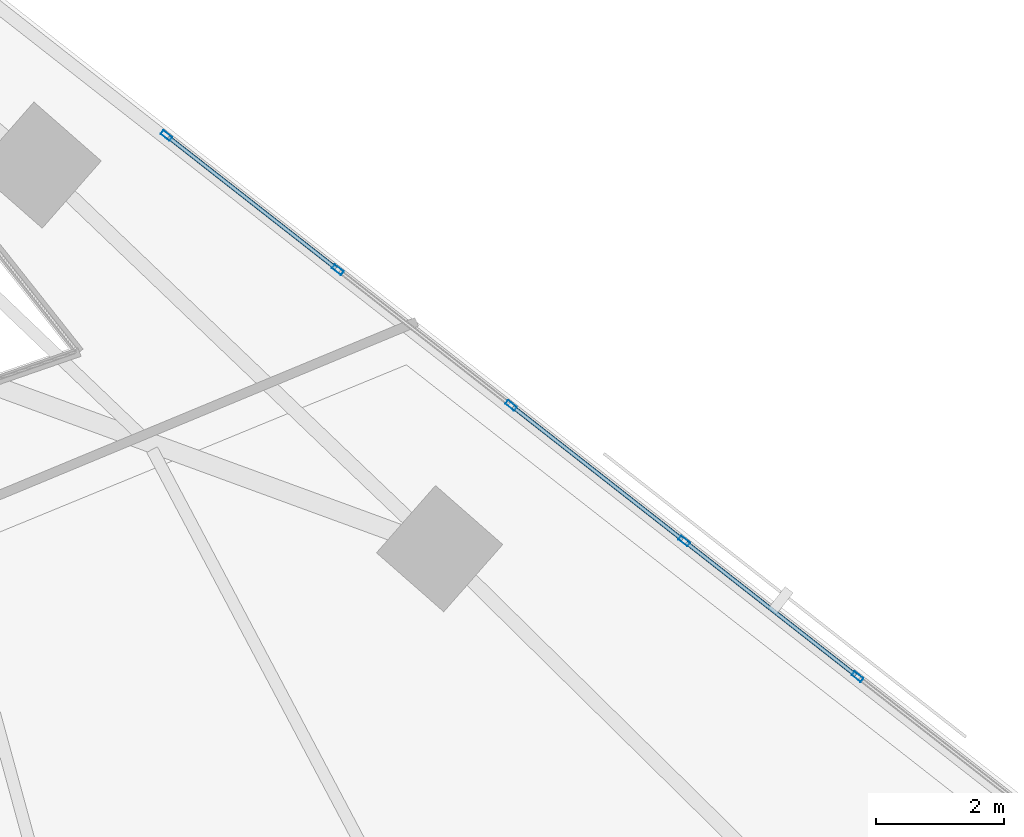
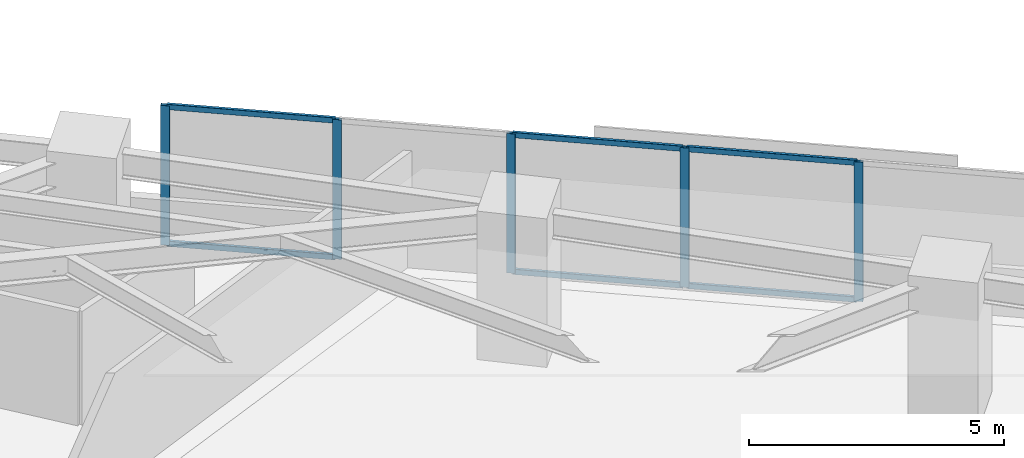
# One storey, part 7 of 16: 11 members, 1 element without a shape of its own.
"""IFC4 building model written with IfcOpenShell, lengths in metres."""

from ifc_helpers import new_model, si_unit, direction, frame, origin, origin_2d, place, context, subcontext, project, spatial, hollow_rectangle, extrude, material, material_profile, profile_set, type_object, element, aggregate, save


model = new_model("IFC4")

# Units and contexts
model_context = context("Model", 3, precision=1e-05, world=origin(), true_north=direction((0.0, 1.0)))
body_context = subcontext(model_context, "Body", "Model", "MODEL_VIEW")
ifc_project = project(units=[si_unit("LENGTHUNIT", "METRE"), si_unit("AREAUNIT", "SQUARE_METRE"), si_unit("VOLUMEUNIT", "CUBIC_METRE"), si_unit("PLANEANGLEUNIT", "RADIAN"), si_unit("MASSUNIT", "GRAM", prefix="KILO")], contexts=[model_context])

# Site, building, storey
site_placement = place(None, origin())
site = spatial("IfcSite", under=ifc_project, at=site_placement, CompositionType="ELEMENT")
building_placement = place(site_placement, origin())
building = spatial("IfcBuilding", under=site, at=building_placement, Name="Narakoshi Arena Tower", CompositionType="ELEMENT")
storey_placement = place(building_placement, frame((0.0, 0.0, 77.699951171875)))
storey = spatial("IfcBuildingStorey", under=building, at=storey_placement, Name="L20", CompositionType="ELEMENT", Elevation=77.699951171875)

# Curtain wall, members
ifc_material = material(Name="Anodised bronze aluminium 6063-T6", Category="aluminium")
curtain_wall_type = type_object("IfcCurtainWallType", Name="CW-HYP-LOW", PredefinedType="NOTDEFINED", material=ifc_material)
curtain_wall_placement = place(storey_placement, origin())
curtain_wall = element("IfcCurtainWall", 1, at=curtain_wall_placement, inside=storey, type_object=curtain_wall_type, Name="L20 Folded Hypotenuse Curtain Wall 1-1", PredefinedType="NOTDEFINED")
ifc_material_profile_1 = material_profile(ifc_material, hollow_rectangle(XDim=0.074951171875, YDim=0.179931640625, WallThickness=0.00390625, OuterFilletRadius=0.0048828125, at=origin_2d()), Name="MUL180x75x4")
ifc_profile_set_1 = profile_set([ifc_material_profile_1], Name="Anodised bronze aluminium 6063-T6")
member_type_1 = type_object("IfcMemberType", Name="MEM-MUL-180", PredefinedType="MULLION", material=ifc_profile_set_1)
member_1_placement = place(storey_placement, frame((107.304443359375, 48.927490234375, 0.0), z_axis=(0.0, 0.0, 1.0), x_axis=(-0.616458234641, -0.787387607817, 0.0)))
member_1 = element("IfcMember", 2, at=member_1_placement, type_object=member_type_1, Name="CW-01 mullion 6", PredefinedType="MULLION", context=body_context, shape_type="SweptSolid", body=[
    extrude(hollow_rectangle(XDim=0.074951171875, YDim=0.179931640625, WallThickness=0.00390625, OuterFilletRadius=0.0048828125, at=origin_2d()), origin(), (0.0, 0.0, 1.0), 3.340087890625),
])
member_2_placement = place(storey_placement, frame((104.5927734375, 51.050537109375, 0.0), z_axis=(0.0, 0.0, 1.0), x_axis=(-0.616458234641, -0.787387607817, 0.0)))
member_2 = element("IfcMember", 3, at=member_2_placement, type_object=member_type_1, Name="CW-01 mullion 7", PredefinedType="MULLION", context=body_context, shape_type="SweptSolid", body=[
    extrude(hollow_rectangle(XDim=0.074951171875, YDim=0.179931640625, WallThickness=0.00390625, OuterFilletRadius=0.0048828125, at=origin_2d()), origin(), (0.0, 0.0, 1.0), 3.340087890625),
])
member_3_placement = place(storey_placement, frame((101.88134765625, 53.17333984375, 0.0), z_axis=(0.0, 0.0, 1.0), x_axis=(-0.616458234641, -0.787387607817, 0.0)))
member_3 = element("IfcMember", 4, at=member_3_placement, type_object=member_type_1, Name="CW-01 mullion 8", PredefinedType="MULLION", context=body_context, shape_type="SweptSolid", body=[
    extrude(hollow_rectangle(XDim=0.074951171875, YDim=0.179931640625, WallThickness=0.00390625, OuterFilletRadius=0.0048828125, at=origin_2d()), origin(), (0.0, 0.0, 1.0), 3.340087890625),
])
member_4_placement = place(storey_placement, frame((99.169677734375, 55.29638671875, 0.0), z_axis=(0.0, 0.0, 1.0), x_axis=(-0.616458234641, -0.787387607817, 0.0)))
member_4 = element("IfcMember", 5, at=member_4_placement, type_object=member_type_1, Name="CW-01 mullion 9", PredefinedType="MULLION", context=body_context, shape_type="SweptSolid", body=[
    extrude(hollow_rectangle(XDim=0.074951171875, YDim=0.179931640625, WallThickness=0.00390625, OuterFilletRadius=0.0048828125, at=origin_2d()), origin(), (0.0, 0.0, 1.0), 3.340087890625),
])
member_5_placement = place(storey_placement, frame((96.48779296875, 57.39599609375, 0.0), z_axis=(0.0, 0.0, 1.0), x_axis=(-0.616458234641, -0.787387607817, 0.0)))
member_5 = element("IfcMember", 6, at=member_5_placement, type_object=member_type_1, Name="CW-01 mullion 10", PredefinedType="MULLION", context=body_context, shape_type="SweptSolid", body=[
    extrude(hollow_rectangle(XDim=0.074951171875, YDim=0.179931640625, WallThickness=0.00390625, OuterFilletRadius=0.0048828125, at=origin_2d()), origin(), (0.0, 0.0, 1.0), 3.340087890625),
])
ifc_material_profile_2 = material_profile(ifc_material, hollow_rectangle(XDim=0.06494140625, YDim=0.1298828125, WallThickness=0.00390625, OuterFilletRadius=0.0048828125, at=origin_2d()), Name="TRN130x65x4")
ifc_profile_set_2 = profile_set([ifc_material_profile_2], Name="Anodised bronze aluminium 6063-T6")
member_type_2 = type_object("IfcMemberType", Name="MEM-TRN-130", PredefinedType="USERDEFINED", material=ifc_profile_set_2)
member_6_placement = place(storey_placement, frame((107.27490234375, 48.95068359375, 0.032470703125), z_axis=(-0.787400998112, 0.616441131149, 0.0), x_axis=(-0.616441131149, -0.787400998112, 0.0)))
member_6 = element("IfcMember", 7, at=member_6_placement, type_object=member_type_2, Name="CW-01 transom 6.1", ObjectType="TRANSOM", PredefinedType="USERDEFINED", context=body_context, shape_type="SweptSolid", body=[
    extrude(hollow_rectangle(XDim=0.06494140625, YDim=0.1298828125, WallThickness=0.00390625, OuterFilletRadius=0.0048828125, at=origin_2d()), origin(), (0.0, 0.0, 1.0), 3.368896484375),
])
member_7_placement = place(storey_placement, frame((107.27490234375, 48.95068359375, 3.3076171875), z_axis=(-0.787400998112, 0.616441131149, 0.0), x_axis=(-0.616441131149, -0.787400998112, 0.0)))
member_7 = element("IfcMember", 8, at=member_7_placement, type_object=member_type_2, Name="CW-01 transom 6.2", ObjectType="TRANSOM", PredefinedType="USERDEFINED", context=body_context, shape_type="SweptSolid", body=[
    extrude(hollow_rectangle(XDim=0.06494140625, YDim=0.1298828125, WallThickness=0.00390625, OuterFilletRadius=0.0048828125, at=origin_2d()), origin(), (0.0, 0.0, 1.0), 3.368896484375),
])
member_8_placement = place(storey_placement, frame((104.563232421875, 51.073486328125, 0.032470703125), z_axis=(-0.787373456673, 0.616476309137, 0.0), x_axis=(-0.616476309137, -0.787373456673, 0.0)))
member_8 = element("IfcMember", 9, at=member_8_placement, type_object=member_type_2, Name="CW-01 transom 7.1", ObjectType="TRANSOM", PredefinedType="USERDEFINED", context=body_context, shape_type="SweptSolid", body=[
    extrude(hollow_rectangle(XDim=0.06494140625, YDim=0.1298828125, WallThickness=0.00390625, OuterFilletRadius=0.0048828125, at=origin_2d()), origin(), (0.0, 0.0, 1.0), 3.36865234375),
])
member_9_placement = place(storey_placement, frame((104.563232421875, 51.073486328125, 3.3076171875), z_axis=(-0.787373456673, 0.616476309137, 0.0), x_axis=(-0.616476309137, -0.787373456673, 0.0)))
member_9 = element("IfcMember", 10, at=member_9_placement, type_object=member_type_2, Name="CW-01 transom 7.2", ObjectType="TRANSOM", PredefinedType="USERDEFINED", context=body_context, shape_type="SweptSolid", body=[
    extrude(hollow_rectangle(XDim=0.06494140625, YDim=0.1298828125, WallThickness=0.00390625, OuterFilletRadius=0.0048828125, at=origin_2d()), origin(), (0.0, 0.0, 1.0), 3.36865234375),
])
member_10_placement = place(storey_placement, frame((99.14013671875, 55.3193359375, 0.032470703125), z_axis=(-0.787347227026, 0.616509808596, 0.0), x_axis=(-0.616509808596, -0.787347227026, 0.0)))
member_10 = element("IfcMember", 11, at=member_10_placement, type_object=member_type_2, Name="CW-01 transom 9.1", ObjectType="TRANSOM", PredefinedType="USERDEFINED", context=body_context, shape_type="SweptSolid", body=[
    extrude(hollow_rectangle(XDim=0.06494140625, YDim=0.1298828125, WallThickness=0.00390625, OuterFilletRadius=0.0048828125, at=origin_2d()), origin(), (0.0, 0.0, 1.0), 3.331298828125),
])
member_11_placement = place(storey_placement, frame((99.14013671875, 55.3193359375, 3.3076171875), z_axis=(-0.787347227026, 0.616509808596, 0.0), x_axis=(-0.616509808596, -0.787347227026, 0.0)))
member_11 = element("IfcMember", 12, at=member_11_placement, type_object=member_type_2, Name="CW-01 transom 9.2", ObjectType="TRANSOM", PredefinedType="USERDEFINED", context=body_context, shape_type="SweptSolid", body=[
    extrude(hollow_rectangle(XDim=0.06494140625, YDim=0.1298828125, WallThickness=0.00390625, OuterFilletRadius=0.0048828125, at=origin_2d()), origin(), (0.0, 0.0, 1.0), 3.331298828125),
])
aggregate(curtain_wall, [member_1, member_2, member_3, member_4, member_5, member_6, member_7, member_8, member_9, member_10, member_11])

save(model, "model.ifc")
